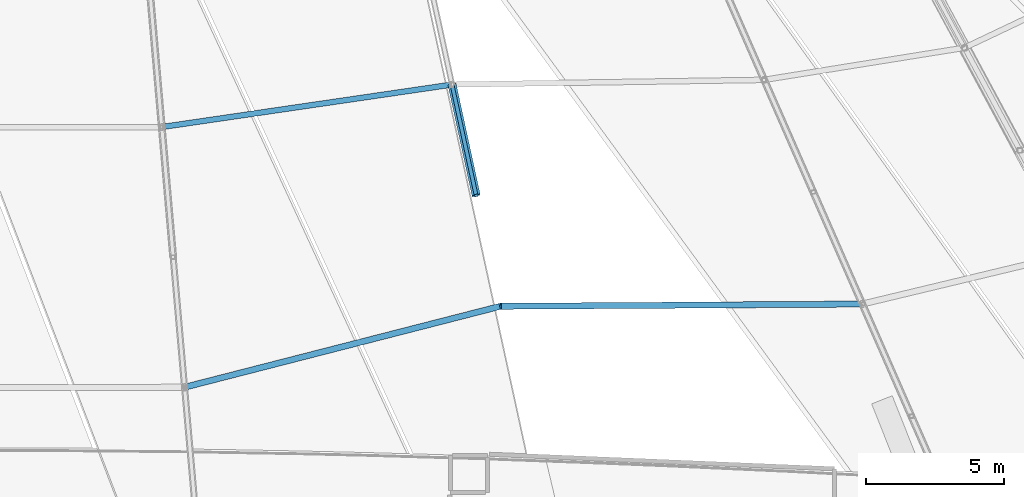
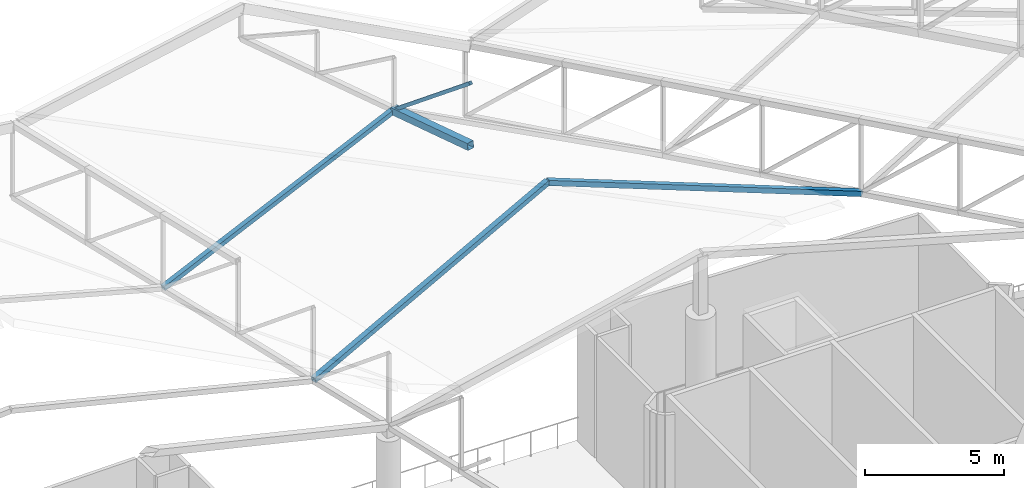
# One storey, part 40 of 344: 5 members.
"""IFC4 building model written with IfcOpenShell, lengths in metres."""

from ifc_helpers import new_model, si_unit, direction, frame, origin, origin_2d, place, context, subcontext, project, spatial, hollow_rectangle, extrude, material, material_profile, profile_set, type_object, element, save


model = new_model("IFC4")

# Units and contexts
model_context = context("Model", 3, precision=1e-05, world=origin(), true_north=direction((0.0, 1.0)))
body_context = subcontext(model_context, "Body", "Model", "MODEL_VIEW")
ifc_project = project(units=[si_unit("LENGTHUNIT", "METRE"), si_unit("AREAUNIT", "SQUARE_METRE"), si_unit("VOLUMEUNIT", "CUBIC_METRE"), si_unit("PLANEANGLEUNIT", "RADIAN"), si_unit("MASSUNIT", "GRAM", prefix="KILO")], contexts=[model_context])

# Site, building, storey
site_placement = place(None, origin())
site = spatial("IfcSite", under=ifc_project, at=site_placement, CompositionType="ELEMENT")
building_placement = place(site_placement, origin())
building = spatial("IfcBuilding", under=site, at=building_placement, Name="Meseta Stadium", CompositionType="ELEMENT")
storey_placement = place(building_placement, frame((0.0, 0.0, 24.0)))
storey = spatial("IfcBuildingStorey", under=building, at=storey_placement, Name="L04", CompositionType="ELEMENT", Elevation=24.0)

# Members
ifc_material_1 = material(Name="Steel S355", Category="steel")
ifc_material_profile_1 = material_profile(ifc_material_1, hollow_rectangle(XDim=0.139892578125, YDim=0.139892578125, WallThickness=0.0048828125, at=origin_2d()), Name="SHS 140x140x5")
ifc_profile_set_1 = profile_set([ifc_material_profile_1], Name="Steel S355")
member_type_1 = type_object("IfcMemberType", Name="SHS 140x140x5 diagonal", PredefinedType="BRACE", material=ifc_profile_set_1)
member_1_placement = place(storey_placement, frame((16.1357421875, -73.859130859375, 6.376220703125), z_axis=(0.165824714769, -0.762097919904, 0.625866538848), x_axis=(0.9771360896, 0.212614821687, 0.0)))
element("IfcMember", 1, at=member_1_placement, inside=storey, type_object=member_type_1, Name="ROOF TRUSS RT-48 diagonal", PredefinedType="BRACE", context=body_context, shape_type="SweptSolid", body=[
    extrude(hollow_rectangle(XDim=0.139892578125, YDim=0.139892578125, WallThickness=0.0048828125, at=origin_2d()), origin(), (0.0, 0.0, 1.0), 5.263427734375),
])
ifc_material_2 = material(Name="Steel S355", Category="steel")
ifc_material_profile_2 = material_profile(ifc_material_2, hollow_rectangle(XDim=0.199951171875, YDim=0.199951171875, WallThickness=0.008056640625, at=origin_2d()), Name="SHS 200x200x8")
ifc_profile_set_2 = profile_set([ifc_material_profile_2], Name="Steel S355")
member_type_2 = type_object("IfcMemberType", Name="SHS 200x200x8 strut", PredefinedType="STRUT", material=ifc_profile_set_2)
member_2_placement = place(storey_placement, frame((5.633056640625, -75.395751953125, 3.147216796875), z_axis=(0.946633325575, 0.138499503735, 0.291038200889), x_axis=(-0.14476622625, 0.989465886091, 0.0)))
element("IfcMember", 2, at=member_2_placement, inside=storey, type_object=member_type_2, Name="ROOF TRUSS STRUT RT-47/48", PredefinedType="STRUT", context=body_context, shape_type="SweptSolid", body=[
    extrude(hollow_rectangle(XDim=0.199951171875, YDim=0.199951171875, WallThickness=0.008056640625, at=origin_2d()), origin(), (0.0, 0.0, 1.0), 11.0947265625),
])
ifc_material_3 = material(Name="Steel S355", Category="steel")
ifc_material_profile_3 = material_profile(ifc_material_3, hollow_rectangle(XDim=0.219970703125, YDim=0.219970703125, WallThickness=0.008056640625, at=origin_2d()), Name="SHS 220x220x8")
ifc_profile_set_3 = profile_set([ifc_material_profile_3], Name="Steel S355")
member_type_3 = type_object("IfcMemberType", Name="SHS 220x220x8 strut", PredefinedType="STRUT", material=ifc_profile_set_3)
member_3_placement = place(storey_placement, frame((6.458251953125, -84.810546875, 4.524169921875), z_axis=(0.939981192846, 0.241032151138, 0.241534385159), x_axis=(-0.248386308044, 0.968661056292, 0.0)))
element("IfcMember", 3, at=member_3_placement, inside=storey, type_object=member_type_3, Name="ROOF TRUSS STRUT RT-47/48", PredefinedType="STRUT", context=body_context, shape_type="SweptSolid", body=[
    extrude(hollow_rectangle(XDim=0.219970703125, YDim=0.219970703125, WallThickness=0.008056640625, at=origin_2d()), origin(), (0.0, 0.0, 1.0), 12.15283203125),
])
member_4_placement = place(storey_placement, frame((17.881591796875, -81.88134765625, 7.45947265625), z_axis=(0.931384230135, 0.005763322916, -0.363992032831), x_axis=(-0.006187792742, 0.999980855427, 0.0)))
element("IfcMember", 4, at=member_4_placement, inside=storey, type_object=member_type_3, Name="ROOF TRUSS STRUT RT-48/49", PredefinedType="STRUT", context=body_context, shape_type="SweptSolid", body=[
    extrude(hollow_rectangle(XDim=0.219970703125, YDim=0.219970703125, WallThickness=0.008056640625, at=origin_2d()), origin(), (0.0, 0.0, 1.0), 14.06396484375),
])
ifc_material_4 = material(Name="Steel S355", Category="steel")
ifc_material_profile_4 = material_profile(ifc_material_4, hollow_rectangle(XDim=0.300048828125, YDim=0.300048828125, WallThickness=0.010009765625, at=origin_2d()), Name="SHS 300x300x10")
ifc_profile_set_4 = profile_set([ifc_material_profile_4], Name="Steel S355")
member_type_4 = type_object("IfcMemberType", Name="SHS 300x300x10 bottom chord", PredefinedType="CHORD", material=ifc_profile_set_4)
member_5_placement = place(storey_placement, frame((16.1357421875, -73.859130859375, 6.376220703125), z_axis=(0.210788830599, -0.968744192098, 0.130777517838), x_axis=(0.9771360896, 0.212614821687, 0.0)))
element("IfcMember", 5, at=member_5_placement, inside=storey, type_object=member_type_4, Name="ROOF TRUSS RT-48 bottom chord", PredefinedType="CHORD", context=body_context, shape_type="SweptSolid", body=[
    extrude(hollow_rectangle(XDim=0.300048828125, YDim=0.300048828125, WallThickness=0.010009765625, at=origin_2d()), origin(), (0.0, 0.0, 1.0), 4.140625),
])

save(model, "model.ifc")
